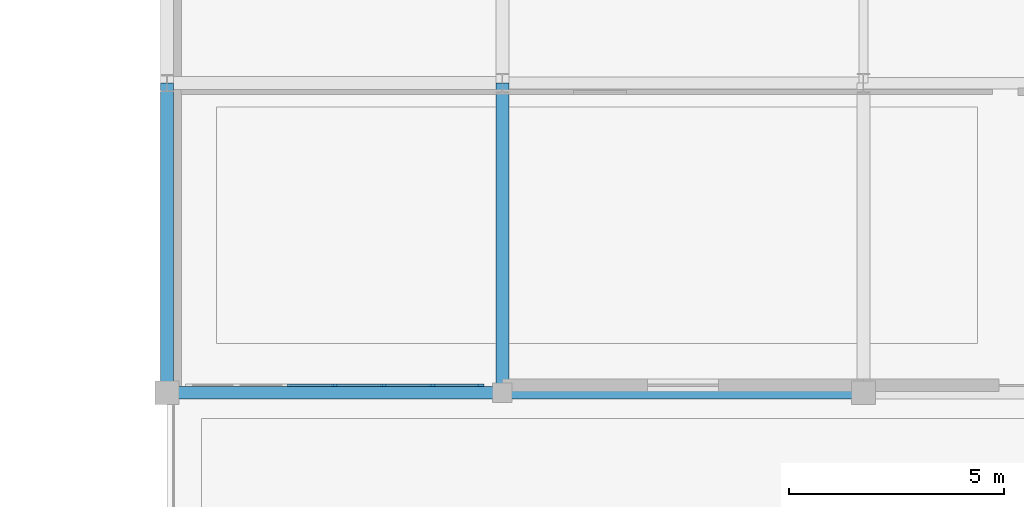
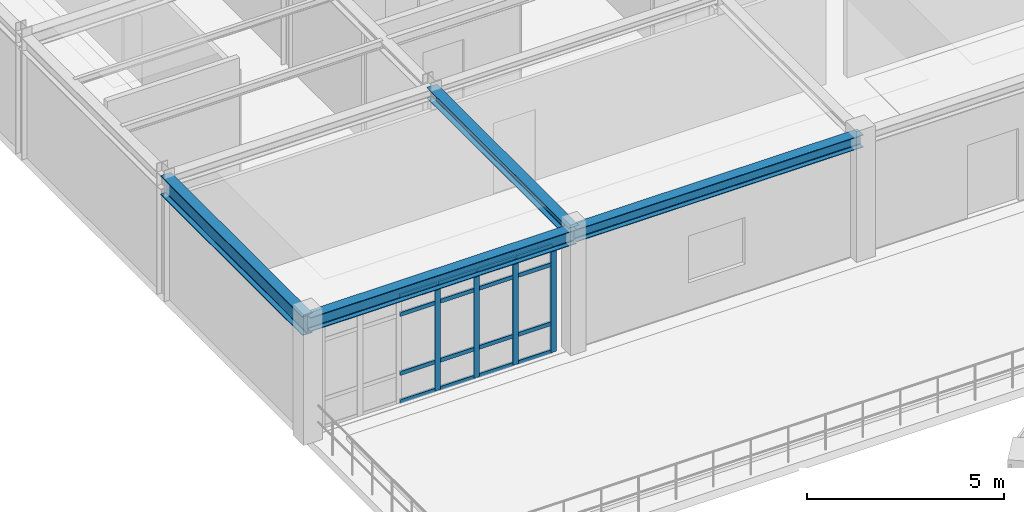
# One storey, part 21 of 58: 20 members, 4 beams, 1 element without a shape of its own.
"""IFC4 building model written with IfcOpenShell, lengths in metres."""

from ifc_helpers import new_model, si_unit, derived_unit, direction, frame, origin, origin_2d, place, context, subcontext, project, spatial, rectangle, i_section, extrude, material, layer, layer_set, material_profile, profile_set, type_object, element, aggregate, save


model = new_model("IFC4")

# Units and contexts
model_context = context("Model", 3, precision=1e-05, world=origin(), true_north=direction((0.0, 1.0)))
body_context = subcontext(model_context, "Body", "Model", "MODEL_VIEW")
ifc_project = project(units=[si_unit("LENGTHUNIT", "METRE"), si_unit("AREAUNIT", "SQUARE_METRE"), si_unit("VOLUMEUNIT", "CUBIC_METRE"), si_unit("PLANEANGLEUNIT", "RADIAN"), si_unit("MASSUNIT", "GRAM", prefix="KILO"), derived_unit("THERMALTRANSMITTANCEUNIT", [(si_unit("POWERUNIT", "WATT"), 1), (si_unit("AREAUNIT", "SQUARE_METRE"), -1), (si_unit("THERMODYNAMICTEMPERATUREUNIT", "KELVIN"), -1)])], contexts=[model_context])

# Site, building, storey
site_placement = place(None, origin())
site = spatial("IfcSite", under=ifc_project, at=site_placement, CompositionType="ELEMENT")
building_placement = place(site_placement, origin())
building = spatial("IfcBuilding", under=site, at=building_placement, Name="Yasenodar Specialist Clinic", CompositionType="ELEMENT")
storey_placement = place(building_placement, frame((0.0, 0.0, 17.25)))
storey = spatial("IfcBuildingStorey", under=building, at=storey_placement, Name="L04", CompositionType="ELEMENT", Elevation=17.25)

# Beams
ifc_material_1 = material(Name="Steel S355", Category="steel")
ifc_material_profile_1 = material_profile(ifc_material_1, i_section(OverallWidth=0.300048828125, OverallDepth=0.389892578125, WebThickness=0.010986328125, FlangeThickness=0.01904296875, FilletRadius=0.027099609375, at=origin_2d()), Name="HEA 400")
ifc_profile_set_1 = profile_set([ifc_material_profile_1], Name="Steel S355")
beam_type_1 = type_object("IfcBeamType", Name="BM-HEA400", PredefinedType="BEAM", material=ifc_profile_set_1)
beam_1_placement = place(storey_placement, frame((57.0, 90.0, 3.594970703125), z_axis=(1.0, 0.0, 0.0), x_axis=(0.0, 1.0, 0.0)))
element("IfcBeam", 1, at=beam_1_placement, inside=storey, type_object=beam_type_1, Name="L04 Primary E-W Girder", PredefinedType="BEAM", context=body_context, shape_type="SweptSolid", body=[
    extrude(i_section(OverallWidth=0.300048828125, OverallDepth=0.389892578125, WebThickness=0.010986328125, FlangeThickness=0.01904296875, FilletRadius=0.027099609375, at=origin_2d()), origin(), (0.0, 0.0, 1.0), 8.39990234375),
])
ifc_material_profile_2 = material_profile(ifc_material_1, i_section(OverallWidth=0.300048828125, OverallDepth=0.43994140625, WebThickness=0.011474609375, FlangeThickness=0.02099609375, FilletRadius=0.027099609375, at=origin_2d()), Name="HEA 450")
ifc_profile_set_2 = profile_set([ifc_material_profile_2], Name="Steel S355")
beam_type_2 = type_object("IfcBeamType", Name="BM-HEA450", PredefinedType="BEAM", material=ifc_profile_set_2)
beam_2_placement = place(storey_placement, frame((49.199951171875, 90.0, 3.570068359375), z_axis=(1.0, 0.0, 0.0), x_axis=(0.0, 1.0, 0.0)))
element("IfcBeam", 2, at=beam_2_placement, inside=storey, type_object=beam_type_2, Name="L04 Primary E-W Girder", PredefinedType="BEAM", context=body_context, shape_type="SweptSolid", body=[
    extrude(i_section(OverallWidth=0.300048828125, OverallDepth=0.43994140625, WebThickness=0.011474609375, FlangeThickness=0.02099609375, FilletRadius=0.027099609375, at=origin_2d()), origin(), (0.0, 0.0, 1.0), 7.800048828125),
])
ifc_material_profile_3 = material_profile(ifc_material_1, i_section(OverallWidth=0.300048828125, OverallDepth=0.340087890625, WebThickness=0.011962890625, FlangeThickness=0.021484375, FilletRadius=0.027099609375, at=origin_2d()), Name="HEB 340")
ifc_profile_set_3 = profile_set([ifc_material_profile_3], Name="Steel S355")
beam_type_3 = type_object("IfcBeamType", Name="BM-HEB340", PredefinedType="BEAM", material=ifc_profile_set_3)
beam_3_placement = place(storey_placement, frame((57.0, 90.0, 3.6201171875), z_axis=(0.0, 1.0, 0.0), x_axis=(-1.0, 0.0, 0.0)))
element("IfcBeam", 3, at=beam_3_placement, inside=storey, type_object=beam_type_3, Name="L04 Primary N-S Girder", PredefinedType="BEAM", context=body_context, shape_type="SweptSolid", body=[
    extrude(i_section(OverallWidth=0.300048828125, OverallDepth=0.340087890625, WebThickness=0.011962890625, FlangeThickness=0.021484375, FilletRadius=0.027099609375, at=origin_2d()), origin(), (0.0, 0.0, 1.0), 7.199951171875),
])
ifc_material_profile_4 = material_profile(ifc_material_1, i_section(OverallWidth=0.300048828125, OverallDepth=0.60009765625, WebThickness=0.015380859375, FlangeThickness=0.030029296875, FilletRadius=0.027099609375, at=origin_2d()), Name="HEB 600")
ifc_profile_set_4 = profile_set([ifc_material_profile_4], Name="Steel S355")
beam_type_4 = type_object("IfcBeamType", Name="BM-HEB600", PredefinedType="BEAM", material=ifc_profile_set_4)
beam_4_placement = place(storey_placement, frame((49.199951171875, 90.0, 3.489990234375), z_axis=(0.0, 1.0, 0.0), x_axis=(-1.0, 0.0, 0.0)))
element("IfcBeam", 4, at=beam_4_placement, inside=storey, type_object=beam_type_4, Name="L04 Primary N-S Girder", PredefinedType="BEAM", context=body_context, shape_type="SweptSolid", body=[
    extrude(i_section(OverallWidth=0.300048828125, OverallDepth=0.60009765625, WebThickness=0.015380859375, FlangeThickness=0.030029296875, FilletRadius=0.027099609375, at=origin_2d()), origin(), (0.0, 0.0, 1.0), 7.199951171875),
])

# Curtain wall, members
ifc_material_2 = material(Name="Bronze Anodized Aluminium and Triple Low-E Glass", Category="aluminium")
ifc_layer = layer(ifc_material_2, 0.215087890625)
ifc_layer_set = layer_set([ifc_layer], Name="Bronze Anodized Aluminium and Triple Low-E Glass")
curtain_wall_type = type_object("IfcCurtainWallType", Name="CW-SYS-05", PredefinedType="USERDEFINED", material=ifc_layer_set)
curtain_wall_placement = place(storey_placement, origin())
curtain_wall = element("IfcCurtainWall", 5, at=curtain_wall_placement, inside=storey, type_object=curtain_wall_type, Name="L04 Unitised Curtain Wall 164", ObjectType="UNITISED CURTAIN WALL", PredefinedType="USERDEFINED")
ifc_material_3 = material(Name="Bronze Anodized Aluminium", Category="aluminium")
ifc_material_profile_5 = material_profile(ifc_material_3, rectangle(XDim=0.06005859375, YDim=0.159912109375, at=origin_2d()), Name="CW-MULL 60x160")
ifc_profile_set_5 = profile_set([ifc_material_profile_5], Name="Bronze Anodized Aluminium")
member_type_1 = type_object("IfcMemberType", Name="CW-MULL-160", PredefinedType="MULLION", material=ifc_profile_set_5)
member_1_placement = place(storey_placement, frame((56.489990234375, 90.169921875, 0.0), z_axis=(0.0, 0.0, 1.0), x_axis=(0.0, -1.0, 0.0)))
member_1 = element("IfcMember", 6, at=member_1_placement, type_object=member_type_1, Name="CW-05 mullion 1", PredefinedType="MULLION", context=body_context, shape_type="SweptSolid", body=[
    extrude(rectangle(XDim=0.06005859375, YDim=0.159912109375, at=origin_2d()), origin(), (0.0, 0.0, 1.0), 3.327880859375),
])
member_2_placement = place(storey_placement, frame((55.3798828125, 90.169921875, 0.0), z_axis=(0.0, 0.0, 1.0), x_axis=(0.0, -1.0, 0.0)))
member_2 = element("IfcMember", 7, at=member_2_placement, type_object=member_type_1, Name="CW-05 mullion 2", PredefinedType="MULLION", context=body_context, shape_type="SweptSolid", body=[
    extrude(rectangle(XDim=0.06005859375, YDim=0.159912109375, at=origin_2d()), origin(), (0.0, 0.0, 1.0), 3.327880859375),
])
member_3_placement = place(storey_placement, frame((54.239990234375, 90.169921875, 0.0), z_axis=(0.0, 0.0, 1.0), x_axis=(0.0, -1.0, 0.0)))
member_3 = element("IfcMember", 8, at=member_3_placement, type_object=member_type_1, Name="CW-05 mullion 3", PredefinedType="MULLION", context=body_context, shape_type="SweptSolid", body=[
    extrude(rectangle(XDim=0.06005859375, YDim=0.159912109375, at=origin_2d()), origin(), (0.0, 0.0, 1.0), 3.327880859375),
])
member_4_placement = place(storey_placement, frame((53.10009765625, 90.169921875, 0.0), z_axis=(0.0, 0.0, 1.0), x_axis=(0.0, -1.0, 0.0)))
member_4 = element("IfcMember", 9, at=member_4_placement, type_object=member_type_1, Name="CW-05 mullion 4", PredefinedType="MULLION", context=body_context, shape_type="SweptSolid", body=[
    extrude(rectangle(XDim=0.06005859375, YDim=0.159912109375, at=origin_2d()), origin(), (0.0, 0.0, 1.0), 3.327880859375),
])
ifc_material_profile_6 = material_profile(ifc_material_3, rectangle(XDim=0.06005859375, YDim=0.1201171875, at=origin_2d()), Name="CW-TRAN 60x120")
ifc_profile_set_6 = profile_set([ifc_material_profile_6], Name="Bronze Anodized Aluminium")
member_type_2 = type_object("IfcMemberType", Name="CW-TRAN-120", PredefinedType="USERDEFINED", material=ifc_profile_set_6)
member_5_placement = place(storey_placement, frame((56.4599609375, 90.169921875, 0.030029296875), z_axis=(-1.0, 0.0, 0.0), x_axis=(0.0, -1.0, 0.0)))
member_5 = element("IfcMember", 10, at=member_5_placement, type_object=member_type_2, Name="CW-05 transom 1.1", ObjectType="TRANSOM", PredefinedType="USERDEFINED", context=body_context, shape_type="SweptSolid", body=[
    extrude(rectangle(XDim=0.06005859375, YDim=0.1201171875, at=origin_2d()), origin(), (0.0, 0.0, 1.0), 1.050048828125),
])
member_6_placement = place(storey_placement, frame((56.4599609375, 90.169921875, 0.89990234375), z_axis=(-1.0, 0.0, 0.0), x_axis=(0.0, -1.0, 0.0)))
member_6 = element("IfcMember", 11, at=member_6_placement, type_object=member_type_2, Name="CW-05 transom 1.2", ObjectType="TRANSOM", PredefinedType="USERDEFINED", context=body_context, shape_type="SweptSolid", body=[
    extrude(rectangle(XDim=0.06005859375, YDim=0.1201171875, at=origin_2d()), origin(), (0.0, 0.0, 1.0), 1.050048828125),
])
member_7_placement = place(storey_placement, frame((56.4599609375, 90.169921875, 2.72802734375), z_axis=(-1.0, 0.0, 0.0), x_axis=(0.0, -1.0, 0.0)))
member_7 = element("IfcMember", 12, at=member_7_placement, type_object=member_type_2, Name="CW-05 transom 1.3", ObjectType="TRANSOM", PredefinedType="USERDEFINED", context=body_context, shape_type="SweptSolid", body=[
    extrude(rectangle(XDim=0.06005859375, YDim=0.1201171875, at=origin_2d()), origin(), (0.0, 0.0, 1.0), 1.050048828125),
])
member_8_placement = place(storey_placement, frame((56.4599609375, 90.169921875, 3.298095703125), z_axis=(-1.0, 0.0, 0.0), x_axis=(0.0, -1.0, 0.0)))
member_8 = element("IfcMember", 13, at=member_8_placement, type_object=member_type_2, Name="CW-05 transom 1.4", ObjectType="TRANSOM", PredefinedType="USERDEFINED", context=body_context, shape_type="SweptSolid", body=[
    extrude(rectangle(XDim=0.06005859375, YDim=0.1201171875, at=origin_2d()), origin(), (0.0, 0.0, 1.0), 1.050048828125),
])
member_9_placement = place(storey_placement, frame((55.35009765625, 90.169921875, 0.030029296875), z_axis=(-1.0, 0.0, 0.0), x_axis=(0.0, -1.0, 0.0)))
member_9 = element("IfcMember", 14, at=member_9_placement, type_object=member_type_2, Name="CW-05 transom 2.1", ObjectType="TRANSOM", PredefinedType="USERDEFINED", context=body_context, shape_type="SweptSolid", body=[
    extrude(rectangle(XDim=0.06005859375, YDim=0.1201171875, at=origin_2d()), origin(), (0.0, 0.0, 1.0), 1.080078125),
])
member_10_placement = place(storey_placement, frame((55.35009765625, 90.169921875, 0.89990234375), z_axis=(-1.0, 0.0, 0.0), x_axis=(0.0, -1.0, 0.0)))
member_10 = element("IfcMember", 15, at=member_10_placement, type_object=member_type_2, Name="CW-05 transom 2.2", ObjectType="TRANSOM", PredefinedType="USERDEFINED", context=body_context, shape_type="SweptSolid", body=[
    extrude(rectangle(XDim=0.06005859375, YDim=0.1201171875, at=origin_2d()), origin(), (0.0, 0.0, 1.0), 1.080078125),
])
member_11_placement = place(storey_placement, frame((55.35009765625, 90.169921875, 2.72802734375), z_axis=(-1.0, 0.0, 0.0), x_axis=(0.0, -1.0, 0.0)))
member_11 = element("IfcMember", 16, at=member_11_placement, type_object=member_type_2, Name="CW-05 transom 2.3", ObjectType="TRANSOM", PredefinedType="USERDEFINED", context=body_context, shape_type="SweptSolid", body=[
    extrude(rectangle(XDim=0.06005859375, YDim=0.1201171875, at=origin_2d()), origin(), (0.0, 0.0, 1.0), 1.080078125),
])
member_12_placement = place(storey_placement, frame((55.35009765625, 90.169921875, 3.298095703125), z_axis=(-1.0, 0.0, 0.0), x_axis=(0.0, -1.0, 0.0)))
member_12 = element("IfcMember", 17, at=member_12_placement, type_object=member_type_2, Name="CW-05 transom 2.4", ObjectType="TRANSOM", PredefinedType="USERDEFINED", context=body_context, shape_type="SweptSolid", body=[
    extrude(rectangle(XDim=0.06005859375, YDim=0.1201171875, at=origin_2d()), origin(), (0.0, 0.0, 1.0), 1.080078125),
])
member_13_placement = place(storey_placement, frame((54.2099609375, 90.169921875, 0.030029296875), z_axis=(-1.0, 0.0, 0.0), x_axis=(0.0, -1.0, 0.0)))
member_13 = element("IfcMember", 18, at=member_13_placement, type_object=member_type_2, Name="CW-05 transom 3.1", ObjectType="TRANSOM", PredefinedType="USERDEFINED", context=body_context, shape_type="SweptSolid", body=[
    extrude(rectangle(XDim=0.06005859375, YDim=0.1201171875, at=origin_2d()), origin(), (0.0, 0.0, 1.0), 1.080078125),
])
member_14_placement = place(storey_placement, frame((54.2099609375, 90.169921875, 0.89990234375), z_axis=(-1.0, 0.0, 0.0), x_axis=(0.0, -1.0, 0.0)))
member_14 = element("IfcMember", 19, at=member_14_placement, type_object=member_type_2, Name="CW-05 transom 3.2", ObjectType="TRANSOM", PredefinedType="USERDEFINED", context=body_context, shape_type="SweptSolid", body=[
    extrude(rectangle(XDim=0.06005859375, YDim=0.1201171875, at=origin_2d()), origin(), (0.0, 0.0, 1.0), 1.080078125),
])
member_15_placement = place(storey_placement, frame((54.2099609375, 90.169921875, 2.72802734375), z_axis=(-1.0, 0.0, 0.0), x_axis=(0.0, -1.0, 0.0)))
member_15 = element("IfcMember", 20, at=member_15_placement, type_object=member_type_2, Name="CW-05 transom 3.3", ObjectType="TRANSOM", PredefinedType="USERDEFINED", context=body_context, shape_type="SweptSolid", body=[
    extrude(rectangle(XDim=0.06005859375, YDim=0.1201171875, at=origin_2d()), origin(), (0.0, 0.0, 1.0), 1.080078125),
])
member_16_placement = place(storey_placement, frame((54.2099609375, 90.169921875, 3.298095703125), z_axis=(-1.0, 0.0, 0.0), x_axis=(0.0, -1.0, 0.0)))
member_16 = element("IfcMember", 21, at=member_16_placement, type_object=member_type_2, Name="CW-05 transom 3.4", ObjectType="TRANSOM", PredefinedType="USERDEFINED", context=body_context, shape_type="SweptSolid", body=[
    extrude(rectangle(XDim=0.06005859375, YDim=0.1201171875, at=origin_2d()), origin(), (0.0, 0.0, 1.0), 1.080078125),
])
member_17_placement = place(storey_placement, frame((53.070068359375, 90.169921875, 0.030029296875), z_axis=(-1.0, 0.0, 0.0), x_axis=(0.0, -1.0, 0.0)))
member_17 = element("IfcMember", 22, at=member_17_placement, type_object=member_type_2, Name="CW-05 transom 4.1", ObjectType="TRANSOM", PredefinedType="USERDEFINED", context=body_context, shape_type="SweptSolid", body=[
    extrude(rectangle(XDim=0.06005859375, YDim=0.1201171875, at=origin_2d()), origin(), (0.0, 0.0, 1.0), 1.080078125),
])
member_18_placement = place(storey_placement, frame((53.070068359375, 90.169921875, 0.89990234375), z_axis=(-1.0, 0.0, 0.0), x_axis=(0.0, -1.0, 0.0)))
member_18 = element("IfcMember", 23, at=member_18_placement, type_object=member_type_2, Name="CW-05 transom 4.2", ObjectType="TRANSOM", PredefinedType="USERDEFINED", context=body_context, shape_type="SweptSolid", body=[
    extrude(rectangle(XDim=0.06005859375, YDim=0.1201171875, at=origin_2d()), origin(), (0.0, 0.0, 1.0), 1.080078125),
])
member_19_placement = place(storey_placement, frame((53.070068359375, 90.169921875, 2.72802734375), z_axis=(-1.0, 0.0, 0.0), x_axis=(0.0, -1.0, 0.0)))
member_19 = element("IfcMember", 24, at=member_19_placement, type_object=member_type_2, Name="CW-05 transom 4.3", ObjectType="TRANSOM", PredefinedType="USERDEFINED", context=body_context, shape_type="SweptSolid", body=[
    extrude(rectangle(XDim=0.06005859375, YDim=0.1201171875, at=origin_2d()), origin(), (0.0, 0.0, 1.0), 1.080078125),
])
member_20_placement = place(storey_placement, frame((53.070068359375, 90.169921875, 3.298095703125), z_axis=(-1.0, 0.0, 0.0), x_axis=(0.0, -1.0, 0.0)))
member_20 = element("IfcMember", 25, at=member_20_placement, type_object=member_type_2, Name="CW-05 transom 4.4", ObjectType="TRANSOM", PredefinedType="USERDEFINED", context=body_context, shape_type="SweptSolid", body=[
    extrude(rectangle(XDim=0.06005859375, YDim=0.1201171875, at=origin_2d()), origin(), (0.0, 0.0, 1.0), 1.080078125),
])
aggregate(curtain_wall, [member_1, member_2, member_3, member_4, member_5, member_6, member_7, member_8, member_9, member_10, member_11, member_12, member_13, member_14, member_15, member_16, member_17, member_18, member_19, member_20])

save(model, "model.ifc")
